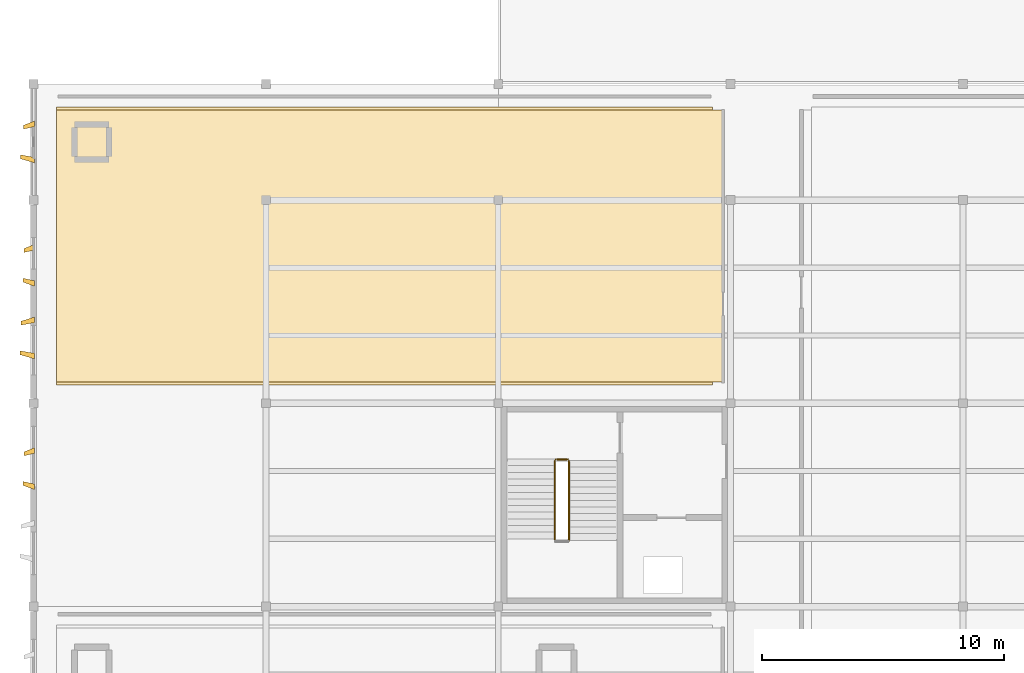
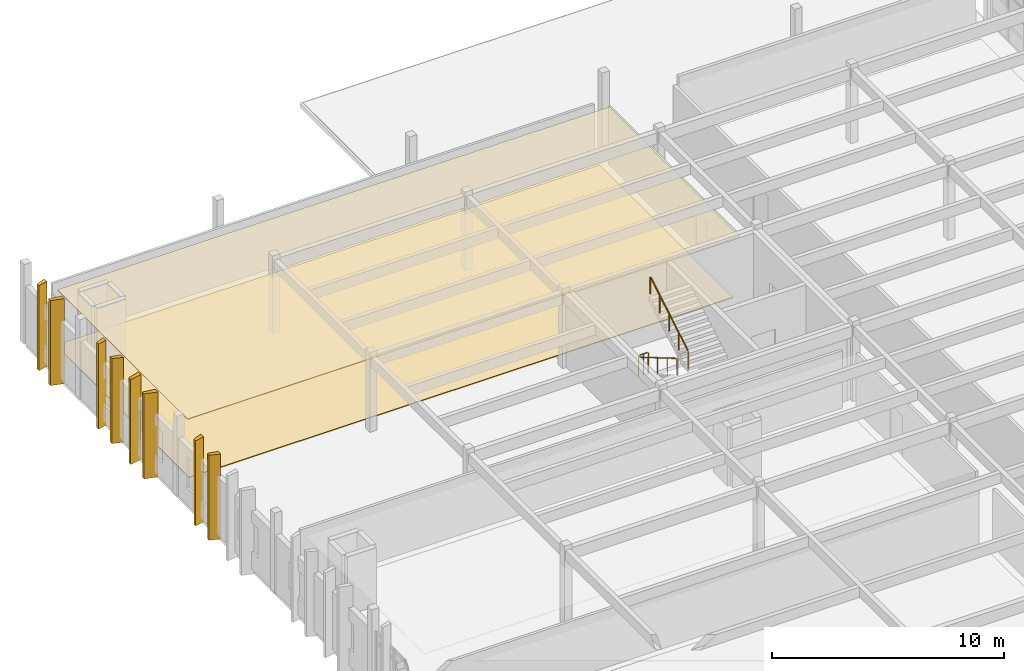
# One storey, part 58 of 61: 10 coverings, 3 railings.
"""IFC4 building model written with IfcOpenShell, lengths in metres."""

from ifc_helpers import new_model, si_unit, direction, frame, origin, origin_2d, place, context, subcontext, project, spatial, polyline, circle, outline, extrude, material, layer, layer_set, type_object, element, save


model = new_model("IFC4")

# Units and contexts
model_context = context("Model", 3, precision=1e-05, world=origin(), true_north=direction((0.0, 1.0)))
body_context = subcontext(model_context, "Body", "Model", "MODEL_VIEW")
ifc_project = project(units=[si_unit("LENGTHUNIT", "METRE"), si_unit("AREAUNIT", "SQUARE_METRE"), si_unit("VOLUMEUNIT", "CUBIC_METRE"), si_unit("PLANEANGLEUNIT", "RADIAN"), si_unit("MASSUNIT", "GRAM", prefix="KILO")], contexts=[model_context])

# Site, building, storey
site_placement = place(None, origin())
site = spatial("IfcSite", under=ifc_project, at=site_placement, CompositionType="ELEMENT")
building_placement = place(site_placement, origin())
building = spatial("IfcBuilding", under=site, at=building_placement, Name="Kolvemor Railside Polytechnic", CompositionType="ELEMENT")
storey_placement = place(building_placement, frame((0.0, 0.0, 10.199951171875)))
storey = spatial("IfcBuildingStorey", under=building, at=storey_placement, Name="L02", CompositionType="ELEMENT", Elevation=10.199951171875)

# Coverings
ifc_material_1 = material(Name="Perforated acoustic mineral-fibre and timber-slat ceiling", Category="wood")
ifc_layer_1 = layer(ifc_material_1, 0.0400390625, Name="COV-CEIL-4")
ifc_layer_set_1 = layer_set([ifc_layer_1], Name="Perforated acoustic mineral-fibre and timber-slat ceiling")
covering_type_1 = type_object("IfcCoveringType", Name="COV-CEIL-4", PredefinedType="CEILING", material=ifc_layer_set_1)
covering_1_placement = place(storey_placement, frame((0.0, 0.0, 2.989990234375)))
element("IfcCovering", 1, at=covering_1_placement, inside=storey, type_object=covering_type_1, Name="Seminar Wing Public and Accessible WC L02 Acoustic Ceiling", PredefinedType="CEILING", context=body_context, shape_type="SweptSolid", body=[
    extrude(outline(polyline([(0.949951171875, 69.280029296875), (28.47998046875, 69.280029296875), (28.47998046875, 80.52001953125), (0.949951171875, 80.52001953125), (0.949951171875, 69.280029296875)])), origin(), (0.0, 0.0, 1.0), 0.0400390625),
])
ifc_material_2 = material(Name="Champagne-bronze PVDF-anodised marine aluminium 5052-H32", Category="aluminium")
ifc_layer_2 = layer(ifc_material_2, 0.179931640625, Name="COV-FIN-CHAMP")
ifc_layer_set_2 = layer_set([ifc_layer_2], Name="Champagne-bronze PVDF-anodised marine aluminium 5052-H32")
covering_type_2 = type_object("IfcCoveringType", Name="COV-FIN-CHAMP", PredefinedType="CLADDING", material=ifc_layer_set_2)
covering_2_placement = place(storey_placement, frame((0.0, 0.0, -0.280029296875)))
element("IfcCovering", 2, at=covering_2_placement, inside=storey, type_object=covering_type_2, Name="Pleated Solar Fin L02-0226", PredefinedType="CLADDING", context=body_context, shape_type="SweptSolid", body=[
    extrude(outline(polyline([(0.034912109375, 64.8349609375), (0.034912109375, 65.06494140625), (-0.44189453125, 65.169921875), (-0.44189453125, 65.010009765625), (0.034912109375, 64.8349609375)])), origin(), (0.0, 0.0, 1.0), 4.47998046875),
])
covering_3_placement = place(storey_placement, frame((0.0, 0.0, -0.280029296875)))
element("IfcCovering", 3, at=covering_3_placement, inside=storey, type_object=covering_type_2, Name="Pleated Solar Fin L02-0227", PredefinedType="CLADDING", context=body_context, shape_type="SweptSolid", body=[
    extrude(outline(polyline([(0.034912109375, 66.3349609375), (0.034912109375, 66.56494140625), (-0.406005859375, 66.389892578125), (-0.406005859375, 66.22998046875), (0.034912109375, 66.3349609375)])), origin(), (0.0, 0.0, 1.0), 4.47998046875),
])
covering_4_placement = place(storey_placement, frame((0.0, 0.0, -0.280029296875)))
element("IfcCovering", 4, at=covering_4_placement, inside=storey, type_object=covering_type_2, Name="Pleated Solar Fin L02-0249", PredefinedType="CLADDING", context=body_context, shape_type="SweptSolid", body=[
    extrude(outline(polyline([(0.034912109375, 70.235107421875), (0.034912109375, 70.465087890625), (-0.56396484375, 70.570068359375), (-0.56396484375, 70.409912109375), (0.034912109375, 70.235107421875)])), origin(), (0.0, 0.0, 1.0), 4.47998046875),
])
covering_5_placement = place(storey_placement, frame((0.0, 0.0, -0.280029296875)))
element("IfcCovering", 5, at=covering_5_placement, inside=storey, type_object=covering_type_2, Name="Pleated Solar Fin L02-0250", PredefinedType="CLADDING", context=body_context, shape_type="SweptSolid", body=[
    extrude(outline(polyline([(0.034912109375, 71.735107421875), (0.034912109375, 71.965087890625), (-0.528076171875, 71.7900390625), (-0.528076171875, 71.6298828125), (0.034912109375, 71.735107421875)])), origin(), (0.0, 0.0, 1.0), 4.47998046875),
])
covering_6_placement = place(storey_placement, frame((0.0, 0.0, -0.280029296875)))
element("IfcCovering", 6, at=covering_6_placement, inside=storey, type_object=covering_type_2, Name="Pleated Solar Fin L02-0251", PredefinedType="CLADDING", context=body_context, shape_type="SweptSolid", body=[
    extrude(outline(polyline([(0.034912109375, 73.235107421875), (0.034912109375, 73.465087890625), (-0.44189453125, 73.570068359375), (-0.44189453125, 73.409912109375), (0.034912109375, 73.235107421875)])), origin(), (0.0, 0.0, 1.0), 4.47998046875),
])
covering_7_placement = place(storey_placement, frame((0.0, 0.0, -0.280029296875)))
element("IfcCovering", 7, at=covering_7_placement, inside=storey, type_object=covering_type_2, Name="Pleated Solar Fin L02-0252", PredefinedType="CLADDING", context=body_context, shape_type="SweptSolid", body=[
    extrude(outline(polyline([(0.034912109375, 74.735107421875), (0.034912109375, 74.965087890625), (-0.406005859375, 74.7900390625), (-0.406005859375, 74.6298828125), (0.034912109375, 74.735107421875)])), origin(), (0.0, 0.0, 1.0), 4.47998046875),
])
covering_8_placement = place(storey_placement, frame((0.0, 0.0, -0.280029296875)))
element("IfcCovering", 8, at=covering_8_placement, inside=storey, type_object=covering_type_2, Name="Pleated Solar Fin L02-0272", PredefinedType="CLADDING", context=body_context, shape_type="SweptSolid", body=[
    extrude(outline(polyline([(0.034912109375, 78.3349609375), (0.034912109375, 78.56494140625), (-0.552001953125, 78.669921875), (-0.552001953125, 78.510009765625), (0.034912109375, 78.3349609375)])), origin(), (0.0, 0.0, 1.0), 4.47998046875),
])
covering_9_placement = place(storey_placement, frame((0.0, 0.0, -0.280029296875)))
element("IfcCovering", 9, at=covering_9_placement, inside=storey, type_object=covering_type_2, Name="Pleated Solar Fin L02-0273", PredefinedType="CLADDING", context=body_context, shape_type="SweptSolid", body=[
    extrude(outline(polyline([(0.034912109375, 79.8349609375), (0.034912109375, 80.06494140625), (-0.41796875, 79.889892578125), (-0.41796875, 79.72998046875), (0.034912109375, 79.8349609375)])), origin(), (0.0, 0.0, 1.0), 4.47998046875),
])
ifc_material_3 = material(Name="Polished coral-aggregate terrazzo and laboratory epoxy flooring")
ifc_layer_3 = layer(ifc_material_3, 0.034912109375, Name="COV-FLR-4")
ifc_layer_set_3 = layer_set([ifc_layer_3], Name="Polished coral-aggregate terrazzo and laboratory epoxy flooring")
covering_type_3 = type_object("IfcCoveringType", Name="COV-FLR-4", PredefinedType="FLOORING", material=ifc_layer_set_3)
covering_10_placement = place(storey_placement, origin())
element("IfcCovering", 10, at=covering_10_placement, inside=storey, type_object=covering_type_3, Name="Seminar Wing Public and Accessible WC L02 Floor Finish", PredefinedType="FLOORING", context=body_context, shape_type="SweptSolid", body=[
    extrude(outline(polyline([(0.949951171875, 69.14990234375), (28.050048828125, 69.14990234375), (28.050048828125, 80.64990234375), (0.949951171875, 80.64990234375), (0.949951171875, 69.14990234375)])), origin(), (0.0, 0.0, 1.0), 0.03515625),
])

# Railings
ifc_material_4 = material(Name="AISI 316 marine stainless-steel balustrade guard", Category="steel")
railing_type_1 = type_object("IfcRailingType", Name="RLG-GUARD-1120", PredefinedType="BALUSTRADE", material=ifc_material_4)
railing_1_placement = place(storey_placement, frame((21.580078125, 66.080078125, 0.0)))
element("IfcRailing", 11, at=railing_1_placement, inside=storey, type_object=railing_type_1, Name="ST-5 Floor Slot Guard L02", PredefinedType="BALUSTRADE", context=body_context, shape_type="SweptSolid", body=[
    extrude(circle(Radius=0.02392578125, at=origin_2d()), frame((0.054931640625, 0.0, 1.09619140625), z_axis=(1.0, 0.0, 0.0), x_axis=(0.0, 1.0, 0.0)), (0.0, 0.0, 1.0), 0.389892578125),
    extrude(circle(Radius=0.02099609375, at=origin_2d()), origin(), (0.0, 0.0, 1.0), 1.05712890625),
    extrude(circle(Radius=0.02099609375, at=origin_2d()), frame((0.25, 0.0, 0.0)), (0.0, 0.0, 1.0), 1.05712890625),
    extrude(circle(Radius=0.02099609375, at=origin_2d()), frame((0.5, 0.0, 0.0)), (0.0, 0.0, 1.0), 1.05712890625),
])
ifc_material_5 = material(Name="Brushed AISI 316 stainless-steel stair handrail", Category="steel")
railing_type_2 = type_object("IfcRailingType", Name="RLG-HANDRAIL-920", PredefinedType="HANDRAIL", material=ifc_material_5)
railing_2_placement = place(storey_placement, frame((21.5400390625, 66.02001953125, 0.16162109375)))
element("IfcRailing", 12, at=railing_2_placement, inside=storey, type_object=railing_type_2, Name="ST-5 Flight 1 Handrail L02", PredefinedType="HANDRAIL", context=body_context, shape_type="SweptSolid", body=[
    extrude(circle(Radius=0.02392578125, at=origin_2d()), frame((0.0, -0.04736328125, 0.923828125), z_axis=(0.0, -0.862245621732, 0.506490362991), x_axis=(1.0, 0.0, 0.0)), (0.0, 0.0, 1.0), 3.71728515625),
    extrude(circle(Radius=0.02099609375, at=origin_2d()), origin(), (0.0, 0.0, 1.0), 0.85693359375),
    extrude(circle(Radius=0.02099609375, at=origin_2d()), frame((0.0, -0.824951171875, 0.484619140625)), (0.0, 0.0, 1.0), 0.85693359375),
    extrude(circle(Radius=0.02099609375, at=origin_2d()), frame((0.0, -1.64990234375, 0.96923828125)), (0.0, 0.0, 1.0), 0.85693359375),
    extrude(circle(Radius=0.02099609375, at=origin_2d()), frame((0.0, -2.47509765625, 1.453857421875)), (0.0, 0.0, 1.0), 0.85693359375),
    extrude(circle(Radius=0.02099609375, at=origin_2d()), frame((0.0, -3.300048828125, 1.9384765625)), (0.0, 0.0, 1.0), 0.85693359375),
])
railing_3_placement = place(storey_placement, frame((22.1201171875, 62.719970703125, 2.261474609375)))
element("IfcRailing", 13, at=railing_3_placement, inside=storey, type_object=railing_type_2, Name="ST-5 Flight 2 Handrail L02", PredefinedType="HANDRAIL", context=body_context, shape_type="SweptSolid", body=[
    extrude(circle(Radius=0.02392578125, at=origin_2d()), frame((0.0, 0.04736328125, 0.923828125), z_axis=(0.0, 0.862245621732, 0.506490362991), x_axis=(-1.0, 0.0, 0.0)), (0.0, 0.0, 1.0), 3.71728515625),
    extrude(circle(Radius=0.02099609375, at=origin_2d()), origin(), (0.0, 0.0, 1.0), 0.85693359375),
    extrude(circle(Radius=0.02099609375, at=origin_2d()), frame((0.0, 0.824951171875, 0.484619140625)), (0.0, 0.0, 1.0), 0.85693359375),
    extrude(circle(Radius=0.02099609375, at=origin_2d()), frame((0.0, 1.64990234375, 0.96923828125)), (0.0, 0.0, 1.0), 0.85693359375),
    extrude(circle(Radius=0.02099609375, at=origin_2d()), frame((0.0, 2.47509765625, 1.453857421875)), (0.0, 0.0, 1.0), 0.85693359375),
    extrude(circle(Radius=0.02099609375, at=origin_2d()), frame((0.0, 3.300048828125, 1.9384765625)), (0.0, 0.0, 1.0), 0.85693359375),
])

save(model, "model.ifc")
